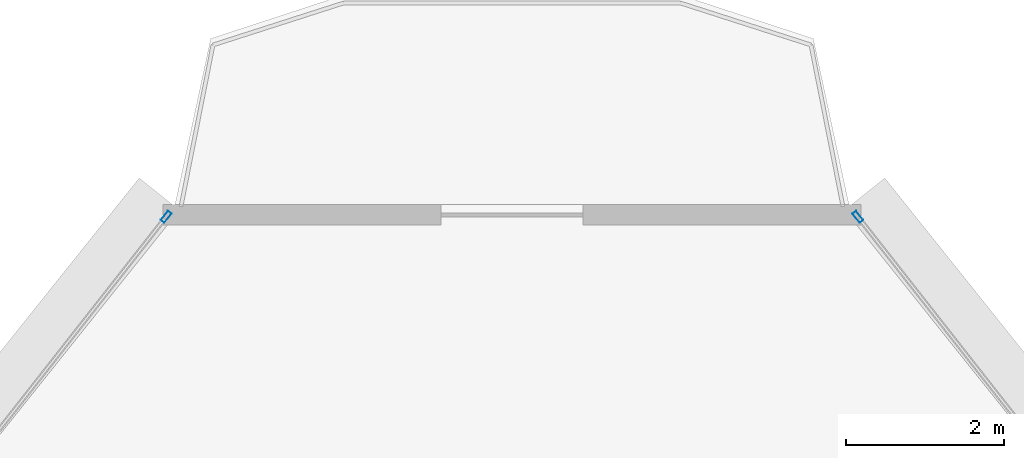
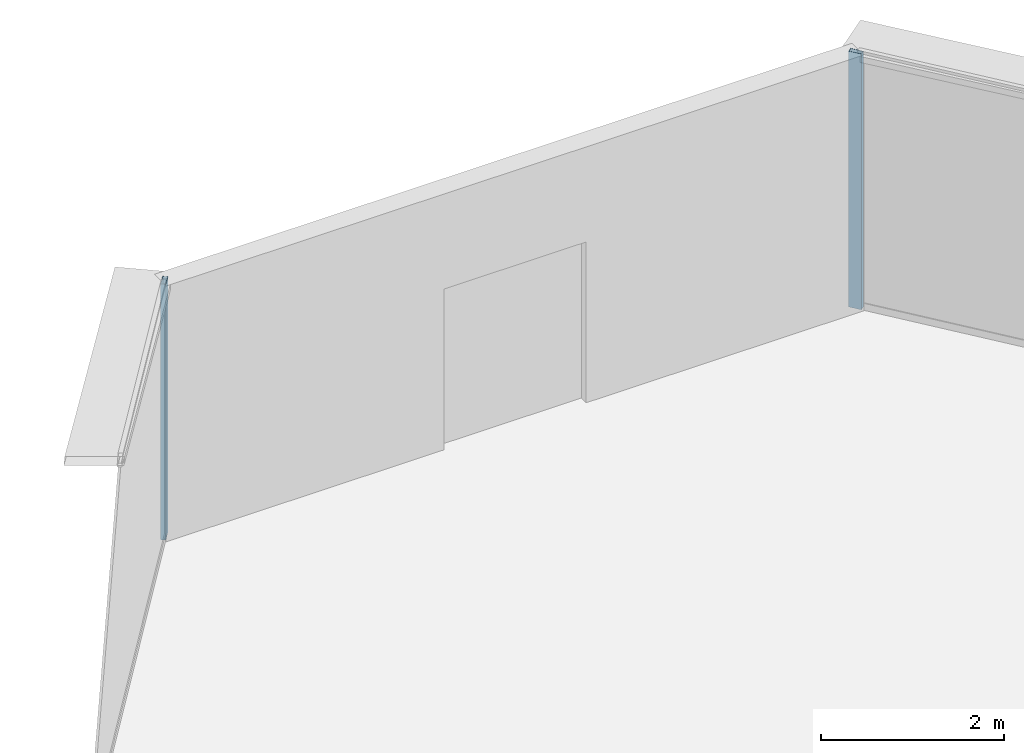
# One storey, part 29 of 39: 2 members, 2 elements without a shape of their own.
"""IFC4 building model written with IfcOpenShell, lengths in metres."""

from ifc_helpers import new_model, si_unit, direction, frame, origin, origin_2d, place, context, subcontext, project, spatial, hollow_rectangle, extrude, source, transform, mapped, material, layer, layer_set, material_profile, profile_set, type_object, element, aggregate, save


model = new_model("IFC4")

# Units and contexts
model_context = context("Model", 3, precision=1e-05, world=origin(), true_north=direction((0.0, 1.0)))
body_context = subcontext(model_context, "Body", "Model", "MODEL_VIEW")
ifc_project = project(units=[si_unit("LENGTHUNIT", "METRE"), si_unit("AREAUNIT", "SQUARE_METRE"), si_unit("VOLUMEUNIT", "CUBIC_METRE"), si_unit("PLANEANGLEUNIT", "RADIAN"), si_unit("MASSUNIT", "GRAM", prefix="KILO"), si_unit("THERMODYNAMICTEMPERATUREUNIT", "KELVIN"), si_unit("POWERUNIT", "WATT")], contexts=[model_context])

# Site, building, storey
site_placement = place(None, origin())
site = spatial("IfcSite", under=ifc_project, at=site_placement, CompositionType="ELEMENT")
building_placement = place(site_placement, origin())
building = spatial("IfcBuilding", under=site, at=building_placement, Name="Yunzhuo Pagoda Commons", CompositionType="ELEMENT")
storey_placement = place(building_placement, frame((0.0, 0.0, 144.550048828125)))
storey = spatial("IfcBuildingStorey", under=building, at=storey_placement, Name="L36", CompositionType="ELEMENT", Elevation=144.550048828125)

# Curtain wall, member
ifc_material = material(Name="Anodized aluminium 6063-T6", Category="aluminium")
ifc_layer = layer(ifc_material, 0.14990234375)
ifc_layer_set = layer_set([ifc_layer], Name="Anodized aluminium 6063-T6")
curtain_wall_type = type_object("IfcCurtainWallType", Name="CW-MID Mid-Zone Ribbon Curtain Wall", PredefinedType="NOTDEFINED", material=ifc_layer_set)
curtain_wall_1_placement = place(storey_placement, origin())
curtain_wall_1 = element("IfcCurtainWall", 1, at=curtain_wall_1_placement, inside=storey, type_object=curtain_wall_type, Name="L36 curtain wall CW-L36-F2B5", PredefinedType="NOTDEFINED")
ifc_material_profile = material_profile(ifc_material, hollow_rectangle(XDim=0.06005859375, YDim=0.14990234375, WallThickness=0.00390625, at=origin_2d()), Name="Anodized aluminium 6063-T6")
ifc_profile_set = profile_set([ifc_material_profile], Name="Anodized aluminium 6063-T6")
member_type = type_object("IfcMemberType", Name="CW-MID-M Mullion RHS 150x60x4", PredefinedType="MULLION", material=ifc_profile_set)
shared_shape = source(origin(), body_context, "Body", "SweptSolid", [
    extrude(hollow_rectangle(XDim=0.06005859375, YDim=0.14990234375, WallThickness=0.00390625, at=origin_2d()), origin(), (0.0, 0.0, 1.0), 3.419921875),
])
member_1_placement = place(storey_placement, frame((52.37451171875, 84.804931640625, 0.0), z_axis=(0.0, 0.0, 1.0), x_axis=(-0.786664694453, -0.617380481147, 0.0)))
member_1 = element("IfcMember", 2, at=member_1_placement, type_object=member_type, Name="CW mullion 2", PredefinedType="MULLION", context=body_context, shape_type="MappedRepresentation", body=[
    mapped(shared_shape, transform((0.0, 0.0, 0.0), scale=1.0)),
])
aggregate(curtain_wall_1, [member_1])

curtain_wall_2_placement = place(storey_placement, origin())
curtain_wall_2 = element("IfcCurtainWall", 3, at=curtain_wall_2_placement, inside=storey, type_object=curtain_wall_type, Name="L36 curtain wall CW-L36-F3B1", PredefinedType="NOTDEFINED")
member_2_placement = place(storey_placement, frame((43.62548828125, 84.804931640625, 0.0), z_axis=(0.0, 0.0, 1.0), x_axis=(0.786664694453, -0.617380481147, 0.0)))
member_2 = element("IfcMember", 4, at=member_2_placement, type_object=member_type, Name="CW mullion 1", PredefinedType="MULLION", context=body_context, shape_type="MappedRepresentation", body=[
    mapped(shared_shape, transform((0.0, 0.0, 0.0), scale=1.0)),
])
aggregate(curtain_wall_2, [member_2])

save(model, "model.ifc")
